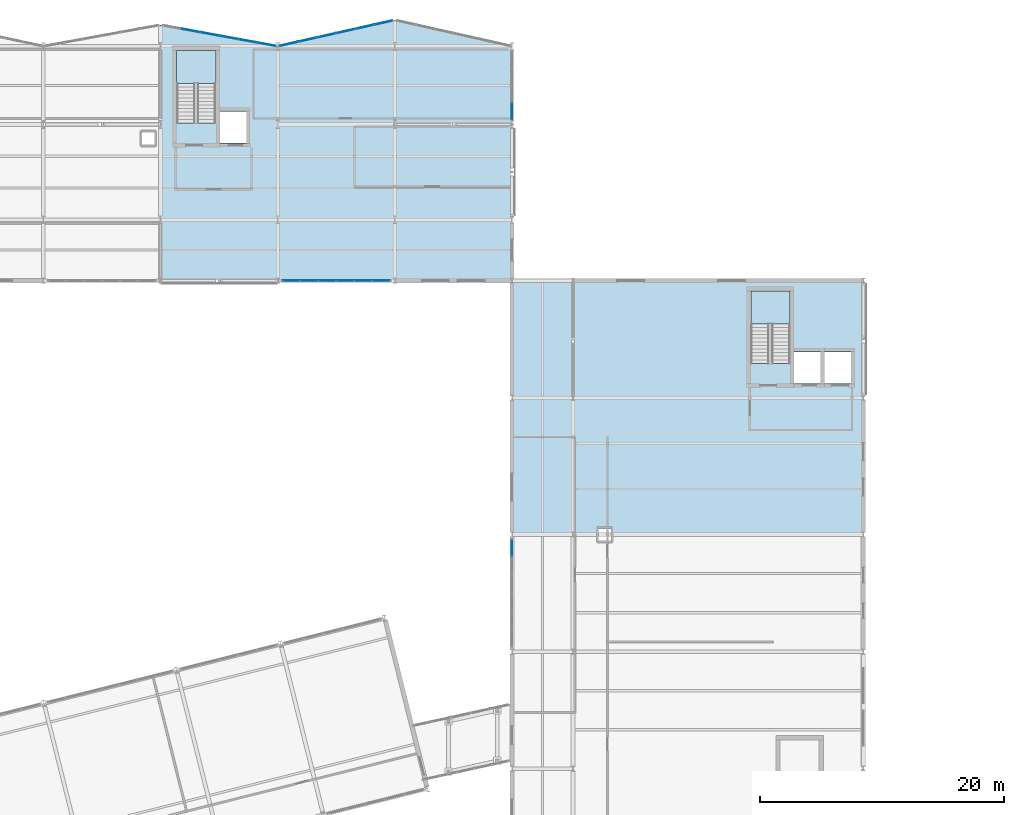
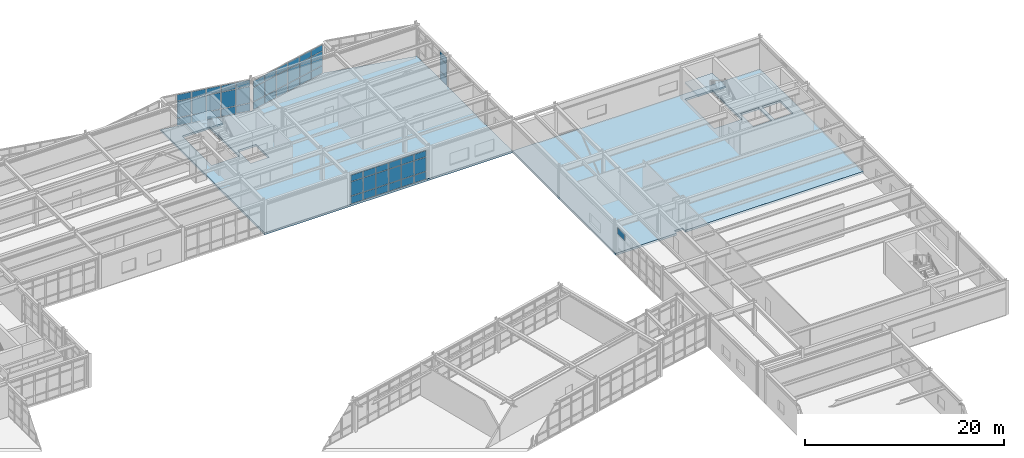
# One storey, part 70 of 99: 55 plates, 4 slabs, 7 elements without a shape of their own.
"""IFC4 building model written with IfcOpenShell, lengths in metres."""

import ifcopenshell
import ifcopenshell.guid

model = None  # the IFC model being written
_history = None  # IfcOwnerHistory: only IFC2X3 demands one
_inside = {}  # id of a spatial element -> (the spatial element, [elements in it])
_under = {}  # id of a project, library or spatial element -> (it, [spatial elements below it])
_declared = {}  # id of a project -> (the project, [libraries it declares])
_typed = {}  # id of a type object -> (the type object, [elements of that type])
_made_of = {}  # id of a material, layer set ... -> (it, [elements and type objects made of it])


def new_model(schema):
    """Start an empty IFC model of exactly this schema.

    Asked for "IFC4X3", IfcOpenShell would pick the latest addendum, in which some entities
    have other attributes; the version numbers below select the first issue.
    IFC2X3 requires an IfcOwnerHistory on every rooted entity: one is made here for all.
    """
    global model, _history
    if schema == "IFC4X3":
        model = ifcopenshell.file(schema_version=(4, 3, 0, 0))
    else:
        model = ifcopenshell.file(schema=schema)
    _inside.clear()
    _under.clear()
    _declared.clear()
    _typed.clear()
    _made_of.clear()
    _history = None
    if model.schema == "IFC2X3":
        org = make("IfcOrganization", Name="unknown")
        user = make(
            "IfcPersonAndOrganization",
            ThePerson=make("IfcPerson", FamilyName="unknown"),
            TheOrganization=org,
        )
        app = make(
            "IfcApplication",
            ApplicationDeveloper=org,
            Version="unknown",
            ApplicationFullName="unknown",
            ApplicationIdentifier="unknown",
        )
        _history = make(
            "IfcOwnerHistory",
            OwningUser=user,
            OwningApplication=app,
            ChangeAction="ADDED",
            CreationDate=0,
        )
    return model


def make(cls, **values):
    """One entity of the class cls with the attributes given. An attribute that is None is left unset."""
    return model.create_entity(
        cls, **{name: value for name, value in values.items() if value is not None}
    )


def rooted(cls, **values):
    """An entity with a GlobalId (a new one), such as an element, a storey or a relation."""
    return make(cls, GlobalId=ifcopenshell.guid.new(), OwnerHistory=_history, **values)


def si_unit(unit_type, name, prefix=None):
    """IfcSIUnit, for example si_unit("LENGTHUNIT", "METRE", prefix="MILLI")."""
    return make("IfcSIUnit", UnitType=unit_type, Prefix=prefix, Name=name)


def assignment(units):
    """IfcUnitAssignment: the units of a project."""
    return None if units is None else make("IfcUnitAssignment", Units=units)


def point(xyz):
    """IfcCartesianPoint."""
    return None if xyz is None else make("IfcCartesianPoint", Coordinates=xyz)


def direction(xyz):
    """IfcDirection."""
    return None if xyz is None else make("IfcDirection", DirectionRatios=xyz)


def frame(location, z_axis=None, x_axis=None):
    """IfcAxis2Placement3D, a coordinate frame: its origin and axes. An axis left out is left unset."""
    return make(
        "IfcAxis2Placement3D",
        Location=point(location),
        Axis=direction(z_axis),
        RefDirection=direction(x_axis),
    )


def frame_2d(location, x_axis=None):
    """IfcAxis2Placement2D, a coordinate frame in the plane: its origin and x axis."""
    return make(
        "IfcAxis2Placement2D", Location=point(location), RefDirection=direction(x_axis)
    )


def origin():
    """The frame at (0, 0, 0) with its axes left unset."""
    return frame((0.0, 0.0, 0.0))


def origin_2d():
    """The frame at (0, 0) in the plane with its x axis left unset."""
    return frame_2d((0.0, 0.0))


def place(relative_to, where):
    """IfcLocalPlacement: puts the frame where relative to a parent placement (None: the world)."""
    return make(
        "IfcLocalPlacement", PlacementRelTo=relative_to, RelativePlacement=where
    )


def context(
    kind, dimensions, precision=None, world=None, true_north=None, identifier=None
):
    """IfcGeometricRepresentationContext, for example the 3D "Model" context."""
    return make(
        "IfcGeometricRepresentationContext",
        ContextIdentifier=identifier,
        ContextType=kind,
        CoordinateSpaceDimension=dimensions,
        Precision=precision,
        WorldCoordinateSystem=world,
        TrueNorth=true_north,
    )


def subcontext(parent, identifier, kind, view, scale=None):
    """IfcGeometricRepresentationSubContext, for example "Body" below "Model"."""
    return make(
        "IfcGeometricRepresentationSubContext",
        ContextIdentifier=identifier,
        ContextType=kind,
        ParentContext=parent,
        TargetScale=scale,
        TargetView=view,
    )


def project(units=None, contexts=None):
    """IfcProject with its units and contexts."""
    return rooted(
        "IfcProject",
        Name="project",
        RepresentationContexts=contexts,
        UnitsInContext=assignment(units),
    )


def spatial(cls, under=None, at=None, **own):
    """A site, building, storey or space (cls), placed at a placement, below another one or the project."""
    s = rooted(cls, ObjectPlacement=at, **own)
    if under is not None:
        _under.setdefault(under.id(), (under, []))[1].append(s)
    return s


def polyline(points):
    """IfcPolyline through the points."""
    return make("IfcPolyline", Points=[point(p) for p in points])


def profile(cls, at=None, kind="AREA", **sizes):
    """A parametric profile (cls). Its sizes go by their IFC names, for example OverallWidth=200.0."""
    return make(cls, ProfileType=kind, Position=at, **sizes)


def rectangle(**sizes):
    """IfcRectangleProfileDef."""
    return profile("IfcRectangleProfileDef", **sizes)


def outline(outer, holes=None, kind="AREA"):
    """IfcArbitraryClosedProfileDef: a profile drawn as a closed curve; with holes, ...WithVoids."""
    if holes is None:
        return make("IfcArbitraryClosedProfileDef", ProfileType=kind, OuterCurve=outer)
    return make(
        "IfcArbitraryProfileDefWithVoids",
        ProfileType=kind,
        OuterCurve=outer,
        InnerCurves=holes,
    )


def extrude(swept, where, along, depth):
    """IfcExtrudedAreaSolid: the profile swept, set in the frame where, extruded along a direction by depth."""
    return make(
        "IfcExtrudedAreaSolid",
        SweptArea=swept,
        Position=where,
        ExtrudedDirection=direction(along),
        Depth=depth,
    )


def shape(context_of_items, identifier, shape_type, items):
    """IfcShapeRepresentation: the items that make up one representation, for example the "Body"."""
    return make(
        "IfcShapeRepresentation",
        ContextOfItems=context_of_items,
        RepresentationIdentifier=identifier,
        RepresentationType=shape_type,
        Items=items,
    )


def material(Name=None, Category=None):
    """IfcMaterial."""
    return make("IfcMaterial", Name=Name, Category=Category)


def layer(
    of_material, thickness, ventilated=None, Name=None, Category=None, Priority=None
):
    """IfcMaterialLayer: one layer of a wall or slab, of a material (None: an air gap)."""
    return make(
        "IfcMaterialLayer",
        Material=of_material,
        LayerThickness=thickness,
        IsVentilated=ventilated,
        Name=Name,
        Category=Category,
        Priority=Priority,
    )


def layer_set(layers, Name=None):
    """IfcMaterialLayerSet."""
    return make("IfcMaterialLayerSet", MaterialLayers=layers, LayerSetName=Name)


def made_of(thing, what):
    """Note that an element or type object is made of a material, layer set ...; save() writes the relation."""
    if what is not None:
        _made_of.setdefault(what.id(), (what, []))[1].append(thing)
    return thing


def type_object(cls, material=None, **own):
    """A type object (cls), such as IfcWallType, which elements share."""
    return made_of(rooted(cls, **own), material)


def element(
    cls,
    number,
    at=None,
    inside=None,
    cuts=None,
    type_object=None,
    material=None,
    context=None,
    identifier="Body",
    shape_type=None,
    held_by="IfcProductDefinitionShape",
    body=None,
    shapes=None,
    **own,
):
    """One element of the class cls, such as IfcWall. Its Tag is "e" and its number.

    at: its placement. inside: the storey or other place that contains it. cuts: it is an
    opening in that element (IfcRelVoidsElement). A single representation is given by context,
    identifier, shape_type and body (its items); several are given by shapes. held_by: the class
    of the entity that holds the representations. save() writes the other relations.
    """
    e = rooted(cls, Tag="e%d" % number, ObjectPlacement=at, **own)
    if body is not None:
        shapes = [shape(context, identifier, shape_type, body)]
    if shapes is not None:
        e.Representation = make(held_by, Representations=shapes)
    if inside is not None:
        _inside.setdefault(inside.id(), (inside, []))[1].append(e)
    if cuts is not None:
        rooted(
            "IfcRelVoidsElement", RelatingBuildingElement=cuts, RelatedOpeningElement=e
        )
    if type_object is not None:
        _typed.setdefault(type_object.id(), (type_object, []))[1].append(e)
    return made_of(e, material)


def aggregate(whole, parts):
    """IfcRelAggregates: a whole, such as a stair, and the parts it consists of."""
    return rooted("IfcRelAggregates", RelatingObject=whole, RelatedObjects=parts)


def save(model, path):
    """Write the relations noted so far, then the file.

    IfcRelAggregates (storeys below a building ...), IfcRelContainedInSpatialStructure (elements
    in a storey), IfcRelDefinesByType, IfcRelAssociatesMaterial and IfcRelDeclares: one each for
    every whole, place, type object, material and project.
    """
    for whole, parts in _under.values():
        aggregate(whole, parts)
    for where, things in _inside.values():
        rooted(
            "IfcRelContainedInSpatialStructure",
            RelatedElements=things,
            RelatingStructure=where,
        )
    for kind, things in _typed.values():
        rooted("IfcRelDefinesByType", RelatedObjects=things, RelatingType=kind)
    for what, things in _made_of.values():
        rooted("IfcRelAssociatesMaterial", RelatedObjects=things, RelatingMaterial=what)
    for by, libraries in _declared.values():
        rooted("IfcRelDeclares", RelatingContext=by, RelatedDefinitions=libraries)
    model.write(path)


model = new_model("IFC4")

# Units and contexts
model_context = context("Model", 3, precision=1e-05, world=origin(), true_north=direction((0.0, 1.0)))
body_context = subcontext(model_context, "Body", "Model", "MODEL_VIEW")
ifc_project = project(units=[si_unit("LENGTHUNIT", "METRE"), si_unit("AREAUNIT", "SQUARE_METRE"), si_unit("VOLUMEUNIT", "CUBIC_METRE"), si_unit("PLANEANGLEUNIT", "RADIAN"), si_unit("MASSUNIT", "GRAM", prefix="KILO")], contexts=[model_context])

# Site, building, storey
site_placement = place(None, origin())
site = spatial("IfcSite", under=ifc_project, at=site_placement, CompositionType="ELEMENT")
building_placement = place(site_placement, origin())
building = spatial("IfcBuilding", under=site, at=building_placement, Name="Nordkorset Police Headquarters", CompositionType="ELEMENT")
storey_placement = place(building_placement, frame((0.0, 0.0, 5.25)))
storey = spatial("IfcBuildingStorey", under=building, at=storey_placement, Name="L01", CompositionType="ELEMENT", Elevation=5.25)

# Curtain wall, plates
ifc_material_1 = material(Name="Aluminium alloy AW-6060", Category="aluminium")
ifc_layer_1 = layer(ifc_material_1, 0.179931640625, Name="Aluminium alloy AW-6060")
ifc_layer_set_1 = layer_set([ifc_layer_1], Name="Aluminium alloy AW-6060")
curtain_wall_type_1 = type_object("IfcCurtainWallType", Name="CW_Unit_948x392", PredefinedType="USERDEFINED", material=ifc_layer_set_1)
curtain_wall_1_placement = place(storey_placement, origin())
curtain_wall_1 = element("IfcCurtainWall", 1, at=curtain_wall_1_placement, inside=storey, type_object=curtain_wall_type_1, Name="Unitised Curtain Wall L01 V2N-3", ObjectType="UNITISED CURTAIN WALL", PredefinedType="USERDEFINED")
ifc_material_2 = material(Name="Low-iron triple glazing", Category="glass")
ifc_layer_2 = layer(ifc_material_2, 0.035888671875, Name="Low-iron triple glazing")
ifc_layer_set_2 = layer_set([ifc_layer_2], Name="Low-iron triple glazing")
plate_type = type_object("IfcPlateType", Name="CW_Panel_TripleGlazing_36", PredefinedType="CURTAIN_PANEL", material=ifc_layer_set_2)
plate_1_placement = place(storey_placement, frame((60.06884765625, 118.099853515625, 0.06494140625), z_axis=(0.0, 0.0, 1.0), x_axis=(0.983787934979, -0.179335715876, 0.0)))
plate_1 = element("IfcPlate", 2, at=plate_1_placement, type_object=plate_type, Name="CW-65 panel 2.1", PredefinedType="CURTAIN_PANEL", context=body_context, shape_type="SweptSolid", body=[
    extrude(rectangle(XDim=1.5146484375, YDim=0.035888671875, at=origin_2d()), origin(), (0.0, 0.0, 1.0), 0.902587890625),
])
plate_2_placement = place(storey_placement, frame((60.06884765625, 118.099853515625, 1.032470703125), z_axis=(0.0, 0.0, 1.0), x_axis=(0.983787934979, -0.179335715876, 0.0)))
plate_2 = element("IfcPlate", 3, at=plate_2_placement, type_object=plate_type, Name="CW-65 panel 2.2", PredefinedType="CURTAIN_PANEL", context=body_context, shape_type="SweptSolid", body=[
    extrude(rectangle(XDim=1.5146484375, YDim=0.035888671875, at=origin_2d()), origin(), (0.0, 0.0, 1.0), 2.0048828125),
])
plate_3_placement = place(storey_placement, frame((60.06884765625, 118.099853515625, 3.1025390625), z_axis=(0.0, 0.0, 1.0), x_axis=(0.983787934979, -0.179335715876, 0.0)))
plate_3 = element("IfcPlate", 4, at=plate_3_placement, type_object=plate_type, Name="CW-65 panel 2.3", PredefinedType="CURTAIN_PANEL", context=body_context, shape_type="SweptSolid", body=[
    extrude(rectangle(XDim=1.5146484375, YDim=0.035888671875, at=origin_2d()), origin(), (0.0, 0.0, 1.0), 0.75244140625),
])
plate_4_placement = place(storey_placement, frame((61.623046875, 117.816650390625, 0.06494140625), z_axis=(0.0, 0.0, 1.0), x_axis=(0.983787934979, -0.179335715876, 0.0)))
plate_4 = element("IfcPlate", 5, at=plate_4_placement, type_object=plate_type, Name="CW-65 panel 3.1", PredefinedType="CURTAIN_PANEL", context=body_context, shape_type="SweptSolid", body=[
    extrude(rectangle(XDim=1.5146484375, YDim=0.035888671875, at=origin_2d()), origin(), (0.0, 0.0, 1.0), 0.902587890625),
])
plate_5_placement = place(storey_placement, frame((61.623046875, 117.816650390625, 1.032470703125), z_axis=(0.0, 0.0, 1.0), x_axis=(0.983787934979, -0.179335715876, 0.0)))
plate_5 = element("IfcPlate", 6, at=plate_5_placement, type_object=plate_type, Name="CW-65 panel 3.2", PredefinedType="CURTAIN_PANEL", context=body_context, shape_type="SweptSolid", body=[
    extrude(rectangle(XDim=1.5146484375, YDim=0.035888671875, at=origin_2d()), origin(), (0.0, 0.0, 1.0), 2.0048828125),
])
plate_6_placement = place(storey_placement, frame((61.623046875, 117.816650390625, 3.1025390625), z_axis=(0.0, 0.0, 1.0), x_axis=(0.983787934979, -0.179335715876, 0.0)))
plate_6 = element("IfcPlate", 7, at=plate_6_placement, type_object=plate_type, Name="CW-65 panel 3.3", PredefinedType="CURTAIN_PANEL", context=body_context, shape_type="SweptSolid", body=[
    extrude(rectangle(XDim=1.5146484375, YDim=0.035888671875, at=origin_2d()), origin(), (0.0, 0.0, 1.0), 0.75244140625),
])
plate_7_placement = place(storey_placement, frame((63.177001953125, 117.533447265625, 0.06494140625), z_axis=(0.0, 0.0, 1.0), x_axis=(0.983787934979, -0.179335715876, 0.0)))
plate_7 = element("IfcPlate", 8, at=plate_7_placement, type_object=plate_type, Name="CW-65 panel 4.1", PredefinedType="CURTAIN_PANEL", context=body_context, shape_type="SweptSolid", body=[
    extrude(rectangle(XDim=1.5146484375, YDim=0.035888671875, at=origin_2d()), origin(), (0.0, 0.0, 1.0), 0.902587890625),
])
plate_8_placement = place(storey_placement, frame((63.177001953125, 117.533447265625, 1.032470703125), z_axis=(0.0, 0.0, 1.0), x_axis=(0.983787934979, -0.179335715876, 0.0)))
plate_8 = element("IfcPlate", 9, at=plate_8_placement, type_object=plate_type, Name="CW-65 panel 4.2", PredefinedType="CURTAIN_PANEL", context=body_context, shape_type="SweptSolid", body=[
    extrude(rectangle(XDim=1.5146484375, YDim=0.035888671875, at=origin_2d()), origin(), (0.0, 0.0, 1.0), 2.0048828125),
])
plate_9_placement = place(storey_placement, frame((63.177001953125, 117.533447265625, 3.1025390625), z_axis=(0.0, 0.0, 1.0), x_axis=(0.983787934979, -0.179335715876, 0.0)))
plate_9 = element("IfcPlate", 10, at=plate_9_placement, type_object=plate_type, Name="CW-65 panel 4.3", PredefinedType="CURTAIN_PANEL", context=body_context, shape_type="SweptSolid", body=[
    extrude(rectangle(XDim=1.5146484375, YDim=0.035888671875, at=origin_2d()), origin(), (0.0, 0.0, 1.0), 0.75244140625),
])
plate_10_placement = place(storey_placement, frame((64.731201171875, 117.25, 0.06494140625), z_axis=(0.0, 0.0, 1.0), x_axis=(0.983787934979, -0.179335715876, 0.0)))
plate_10 = element("IfcPlate", 11, at=plate_10_placement, type_object=plate_type, Name="CW-65 panel 5.1", PredefinedType="CURTAIN_PANEL", context=body_context, shape_type="SweptSolid", body=[
    extrude(rectangle(XDim=1.5146484375, YDim=0.035888671875, at=origin_2d()), origin(), (0.0, 0.0, 1.0), 0.902587890625),
])
plate_11_placement = place(storey_placement, frame((64.731201171875, 117.25, 1.032470703125), z_axis=(0.0, 0.0, 1.0), x_axis=(0.983787934979, -0.179335715876, 0.0)))
plate_11 = element("IfcPlate", 12, at=plate_11_placement, type_object=plate_type, Name="CW-65 panel 5.2", PredefinedType="CURTAIN_PANEL", context=body_context, shape_type="SweptSolid", body=[
    extrude(rectangle(XDim=1.5146484375, YDim=0.035888671875, at=origin_2d()), origin(), (0.0, 0.0, 1.0), 2.0048828125),
])
plate_12_placement = place(storey_placement, frame((64.731201171875, 117.25, 3.1025390625), z_axis=(0.0, 0.0, 1.0), x_axis=(0.983787934979, -0.179335715876, 0.0)))
plate_12 = element("IfcPlate", 13, at=plate_12_placement, type_object=plate_type, Name="CW-65 panel 5.3", PredefinedType="CURTAIN_PANEL", context=body_context, shape_type="SweptSolid", body=[
    extrude(rectangle(XDim=1.5146484375, YDim=0.035888671875, at=origin_2d()), origin(), (0.0, 0.0, 1.0), 0.75244140625),
])
plate_13_placement = place(storey_placement, frame((66.269287109375, 116.9697265625, 0.06494140625), z_axis=(0.0, 0.0, 1.0), x_axis=(0.983787934979, -0.179335715876, 0.0)))
plate_13 = element("IfcPlate", 14, at=plate_13_placement, type_object=plate_type, Name="CW-65 panel 6.1", PredefinedType="CURTAIN_PANEL", context=body_context, shape_type="SweptSolid", body=[
    extrude(rectangle(XDim=1.482177734375, YDim=0.035888671875, at=origin_2d()), origin(), (0.0, 0.0, 1.0), 0.902587890625),
])
plate_14_placement = place(storey_placement, frame((66.269287109375, 116.9697265625, 1.032470703125), z_axis=(0.0, 0.0, 1.0), x_axis=(0.983787934979, -0.179335715876, 0.0)))
plate_14 = element("IfcPlate", 15, at=plate_14_placement, type_object=plate_type, Name="CW-65 panel 6.2", PredefinedType="CURTAIN_PANEL", context=body_context, shape_type="SweptSolid", body=[
    extrude(rectangle(XDim=1.482177734375, YDim=0.035888671875, at=origin_2d()), origin(), (0.0, 0.0, 1.0), 2.0048828125),
])
plate_15_placement = place(storey_placement, frame((66.269287109375, 116.9697265625, 3.1025390625), z_axis=(0.0, 0.0, 1.0), x_axis=(0.983787934979, -0.179335715876, 0.0)))
plate_15 = element("IfcPlate", 16, at=plate_15_placement, type_object=plate_type, Name="CW-65 panel 6.3", PredefinedType="CURTAIN_PANEL", context=body_context, shape_type="SweptSolid", body=[
    extrude(rectangle(XDim=1.482177734375, YDim=0.035888671875, at=origin_2d()), origin(), (0.0, 0.0, 1.0), 0.75244140625),
])
aggregate(curtain_wall_1, [plate_1, plate_2, plate_3, plate_4, plate_5, plate_6, plate_7, plate_8, plate_9, plate_10, plate_11, plate_12, plate_13, plate_14, plate_15])

ifc_material_3 = material(Name="Aluminium alloy AW-6060", Category="aluminium")
ifc_layer_3 = layer(ifc_material_3, 0.179931640625, Name="Aluminium alloy AW-6060")
ifc_layer_set_3 = layer_set([ifc_layer_3], Name="Aluminium alloy AW-6060")
curtain_wall_type_2 = type_object("IfcCurtainWallType", Name="CW_Unit_956x363", PredefinedType="USERDEFINED", material=ifc_layer_set_3)
curtain_wall_2_placement = place(storey_placement, origin())
curtain_wall_2 = element("IfcCurtainWall", 17, at=curtain_wall_2_placement, inside=storey, type_object=curtain_wall_type_2, Name="Unitised Curtain Wall L01 V2N-4", ObjectType="UNITISED CURTAIN WALL", PredefinedType="USERDEFINED")
plate_16_placement = place(storey_placement, frame((68.129638671875, 117.00830078125, 0.06494140625), z_axis=(0.0, 0.0, 1.0), x_axis=(0.975827090814, 0.218544020358, 0.0)))
plate_16 = element("IfcPlate", 18, at=plate_16_placement, type_object=plate_type, Name="CW-67 panel 1.1", PredefinedType="CURTAIN_PANEL", context=body_context, shape_type="SweptSolid", body=[
    extrude(rectangle(XDim=1.495361328125, YDim=0.035888671875, at=origin_2d()), origin(), (0.0, 0.0, 1.0), 0.902587890625),
])
plate_17_placement = place(storey_placement, frame((68.129638671875, 117.00830078125, 1.0322265625), z_axis=(0.0, 0.0, 1.0), x_axis=(0.975827090814, 0.218544020358, 0.0)))
plate_17 = element("IfcPlate", 19, at=plate_17_placement, type_object=plate_type, Name="CW-67 panel 1.2", PredefinedType="CURTAIN_PANEL", context=body_context, shape_type="SweptSolid", body=[
    extrude(rectangle(XDim=1.495361328125, YDim=0.035888671875, at=origin_2d()), origin(), (0.0, 0.0, 1.0), 1.715087890625),
])
plate_18_placement = place(storey_placement, frame((68.129638671875, 117.00830078125, 2.8125), z_axis=(0.0, 0.0, 1.0), x_axis=(0.975827090814, 0.218544020358, 0.0)))
plate_18 = element("IfcPlate", 20, at=plate_18_placement, type_object=plate_type, Name="CW-67 panel 1.3", PredefinedType="CURTAIN_PANEL", context=body_context, shape_type="SweptSolid", body=[
    extrude(rectangle(XDim=1.495361328125, YDim=0.035888671875, at=origin_2d()), origin(), (0.0, 0.0, 1.0), 0.75244140625),
])
plate_19_placement = place(storey_placement, frame((69.668212890625, 117.352783203125, 0.06494140625), z_axis=(0.0, 0.0, 1.0), x_axis=(0.975827090814, 0.218544020358, 0.0)))
plate_19 = element("IfcPlate", 21, at=plate_19_placement, type_object=plate_type, Name="CW-67 panel 2.1", PredefinedType="CURTAIN_PANEL", context=body_context, shape_type="SweptSolid", body=[
    extrude(rectangle(XDim=1.528076171875, YDim=0.035888671875, at=origin_2d()), origin(), (0.0, 0.0, 1.0), 0.902587890625),
])
plate_20_placement = place(storey_placement, frame((69.668212890625, 117.352783203125, 1.0322265625), z_axis=(0.0, 0.0, 1.0), x_axis=(0.975827090814, 0.218544020358, 0.0)))
plate_20 = element("IfcPlate", 22, at=plate_20_placement, type_object=plate_type, Name="CW-67 panel 2.2", PredefinedType="CURTAIN_PANEL", context=body_context, shape_type="SweptSolid", body=[
    extrude(rectangle(XDim=1.528076171875, YDim=0.035888671875, at=origin_2d()), origin(), (0.0, 0.0, 1.0), 1.715087890625),
])
plate_21_placement = place(storey_placement, frame((69.668212890625, 117.352783203125, 2.8125), z_axis=(0.0, 0.0, 1.0), x_axis=(0.975827090814, 0.218544020358, 0.0)))
plate_21 = element("IfcPlate", 23, at=plate_21_placement, type_object=plate_type, Name="CW-67 panel 2.3", PredefinedType="CURTAIN_PANEL", context=body_context, shape_type="SweptSolid", body=[
    extrude(rectangle(XDim=1.528076171875, YDim=0.035888671875, at=origin_2d()), origin(), (0.0, 0.0, 1.0), 0.75244140625),
])
plate_22_placement = place(storey_placement, frame((71.22265625, 117.700927734375, 0.06494140625), z_axis=(0.0, 0.0, 1.0), x_axis=(0.975827090814, 0.218544020358, 0.0)))
plate_22 = element("IfcPlate", 24, at=plate_22_placement, type_object=plate_type, Name="CW-67 panel 3.1", PredefinedType="CURTAIN_PANEL", context=body_context, shape_type="SweptSolid", body=[
    extrude(rectangle(XDim=1.528076171875, YDim=0.035888671875, at=origin_2d()), origin(), (0.0, 0.0, 1.0), 0.902587890625),
])
plate_23_placement = place(storey_placement, frame((71.22265625, 117.700927734375, 1.0322265625), z_axis=(0.0, 0.0, 1.0), x_axis=(0.975827090814, 0.218544020358, 0.0)))
plate_23 = element("IfcPlate", 25, at=plate_23_placement, type_object=plate_type, Name="CW-67 panel 3.2", PredefinedType="CURTAIN_PANEL", context=body_context, shape_type="SweptSolid", body=[
    extrude(rectangle(XDim=1.528076171875, YDim=0.035888671875, at=origin_2d()), origin(), (0.0, 0.0, 1.0), 1.715087890625),
])
plate_24_placement = place(storey_placement, frame((71.22265625, 117.700927734375, 2.8125), z_axis=(0.0, 0.0, 1.0), x_axis=(0.975827090814, 0.218544020358, 0.0)))
plate_24 = element("IfcPlate", 26, at=plate_24_placement, type_object=plate_type, Name="CW-67 panel 3.3", PredefinedType="CURTAIN_PANEL", context=body_context, shape_type="SweptSolid", body=[
    extrude(rectangle(XDim=1.528076171875, YDim=0.035888671875, at=origin_2d()), origin(), (0.0, 0.0, 1.0), 0.75244140625),
])
plate_25_placement = place(storey_placement, frame((72.77734375, 118.049072265625, 0.06494140625), z_axis=(0.0, 0.0, 1.0), x_axis=(0.975827090814, 0.218544020358, 0.0)))
plate_25 = element("IfcPlate", 27, at=plate_25_placement, type_object=plate_type, Name="CW-67 panel 4.1", PredefinedType="CURTAIN_PANEL", context=body_context, shape_type="SweptSolid", body=[
    extrude(rectangle(XDim=1.528076171875, YDim=0.035888671875, at=origin_2d()), origin(), (0.0, 0.0, 1.0), 0.902587890625),
])
plate_26_placement = place(storey_placement, frame((72.77734375, 118.049072265625, 1.0322265625), z_axis=(0.0, 0.0, 1.0), x_axis=(0.975827090814, 0.218544020358, 0.0)))
plate_26 = element("IfcPlate", 28, at=plate_26_placement, type_object=plate_type, Name="CW-67 panel 4.2", PredefinedType="CURTAIN_PANEL", context=body_context, shape_type="SweptSolid", body=[
    extrude(rectangle(XDim=1.528076171875, YDim=0.035888671875, at=origin_2d()), origin(), (0.0, 0.0, 1.0), 1.715087890625),
])
plate_27_placement = place(storey_placement, frame((72.77734375, 118.049072265625, 2.8125), z_axis=(0.0, 0.0, 1.0), x_axis=(0.975827090814, 0.218544020358, 0.0)))
plate_27 = element("IfcPlate", 29, at=plate_27_placement, type_object=plate_type, Name="CW-67 panel 4.3", PredefinedType="CURTAIN_PANEL", context=body_context, shape_type="SweptSolid", body=[
    extrude(rectangle(XDim=1.528076171875, YDim=0.035888671875, at=origin_2d()), origin(), (0.0, 0.0, 1.0), 0.75244140625),
])
plate_28_placement = place(storey_placement, frame((74.331787109375, 118.397216796875, 0.06494140625), z_axis=(0.0, 0.0, 1.0), x_axis=(0.975827090814, 0.218544020358, 0.0)))
plate_28 = element("IfcPlate", 30, at=plate_28_placement, type_object=plate_type, Name="CW-67 panel 5.1", PredefinedType="CURTAIN_PANEL", context=body_context, shape_type="SweptSolid", body=[
    extrude(rectangle(XDim=1.528076171875, YDim=0.035888671875, at=origin_2d()), origin(), (0.0, 0.0, 1.0), 0.902587890625),
])
plate_29_placement = place(storey_placement, frame((74.331787109375, 118.397216796875, 1.0322265625), z_axis=(0.0, 0.0, 1.0), x_axis=(0.975827090814, 0.218544020358, 0.0)))
plate_29 = element("IfcPlate", 31, at=plate_29_placement, type_object=plate_type, Name="CW-67 panel 5.2", PredefinedType="CURTAIN_PANEL", context=body_context, shape_type="SweptSolid", body=[
    extrude(rectangle(XDim=1.528076171875, YDim=0.035888671875, at=origin_2d()), origin(), (0.0, 0.0, 1.0), 1.715087890625),
])
plate_30_placement = place(storey_placement, frame((74.331787109375, 118.397216796875, 2.8125), z_axis=(0.0, 0.0, 1.0), x_axis=(0.975827090814, 0.218544020358, 0.0)))
plate_30 = element("IfcPlate", 32, at=plate_30_placement, type_object=plate_type, Name="CW-67 panel 5.3", PredefinedType="CURTAIN_PANEL", context=body_context, shape_type="SweptSolid", body=[
    extrude(rectangle(XDim=1.528076171875, YDim=0.035888671875, at=origin_2d()), origin(), (0.0, 0.0, 1.0), 0.75244140625),
])
plate_31_placement = place(storey_placement, frame((75.870361328125, 118.74169921875, 0.06494140625), z_axis=(0.0, 0.0, 1.0), x_axis=(0.975827090814, 0.218544020358, 0.0)))
plate_31 = element("IfcPlate", 33, at=plate_31_placement, type_object=plate_type, Name="CW-67 panel 6.1", PredefinedType="CURTAIN_PANEL", context=body_context, shape_type="SweptSolid", body=[
    extrude(rectangle(XDim=1.495361328125, YDim=0.035888671875, at=origin_2d()), origin(), (0.0, 0.0, 1.0), 0.902587890625),
])
plate_32_placement = place(storey_placement, frame((75.870361328125, 118.74169921875, 1.0322265625), z_axis=(0.0, 0.0, 1.0), x_axis=(0.975827090814, 0.218544020358, 0.0)))
plate_32 = element("IfcPlate", 34, at=plate_32_placement, type_object=plate_type, Name="CW-67 panel 6.2", PredefinedType="CURTAIN_PANEL", context=body_context, shape_type="SweptSolid", body=[
    extrude(rectangle(XDim=1.495361328125, YDim=0.035888671875, at=origin_2d()), origin(), (0.0, 0.0, 1.0), 1.715087890625),
])
plate_33_placement = place(storey_placement, frame((75.870361328125, 118.74169921875, 2.8125), z_axis=(0.0, 0.0, 1.0), x_axis=(0.975827090814, 0.218544020358, 0.0)))
plate_33 = element("IfcPlate", 35, at=plate_33_placement, type_object=plate_type, Name="CW-67 panel 6.3", PredefinedType="CURTAIN_PANEL", context=body_context, shape_type="SweptSolid", body=[
    extrude(rectangle(XDim=1.495361328125, YDim=0.035888671875, at=origin_2d()), origin(), (0.0, 0.0, 1.0), 0.75244140625),
])
aggregate(curtain_wall_2, [plate_16, plate_17, plate_18, plate_19, plate_20, plate_21, plate_22, plate_23, plate_24, plate_25, plate_26, plate_27, plate_28, plate_29, plate_30, plate_31, plate_32, plate_33])

ifc_material_4 = material(Name="Aluminium alloy AW-6060", Category="aluminium")
ifc_layer_4 = layer(ifc_material_4, 0.179931640625, Name="Aluminium alloy AW-6060")
ifc_layer_set_4 = layer_set([ifc_layer_4], Name="Aluminium alloy AW-6060")
curtain_wall_type_3 = type_object("IfcCurtainWallType", Name="CW_Unit_888x363", PredefinedType="USERDEFINED", material=ifc_layer_set_4)
curtain_wall_3_placement = place(storey_placement, origin())
curtain_wall_3 = element("IfcCurtainWall", 36, at=curtain_wall_3_placement, inside=storey, type_object=curtain_wall_type_3, Name="Unitised Curtain Wall L01 V2S-4", ObjectType="UNITISED CURTAIN WALL", PredefinedType="USERDEFINED")
plate_34_placement = place(storey_placement, frame((68.316162109375, 97.60009765625, 0.06494140625), z_axis=(0.0, 0.0, 1.0), x_axis=(1.0, 0.0, 0.0)))
plate_34 = element("IfcPlate", 37, at=plate_34_placement, type_object=plate_type, Name="CW-07 panel 1.1", PredefinedType="CURTAIN_PANEL", context=body_context, shape_type="SweptSolid", body=[
    extrude(rectangle(XDim=1.382568359375, YDim=0.035888671875, at=origin_2d()), origin(), (0.0, 0.0, 1.0), 0.902587890625),
])
plate_35_placement = place(storey_placement, frame((68.316162109375, 97.60009765625, 1.0322265625), z_axis=(0.0, 0.0, 1.0), x_axis=(1.0, 0.0, 0.0)))
plate_35 = element("IfcPlate", 38, at=plate_35_placement, type_object=plate_type, Name="CW-07 panel 1.2", PredefinedType="CURTAIN_PANEL", context=body_context, shape_type="SweptSolid", body=[
    extrude(rectangle(XDim=1.382568359375, YDim=0.035888671875, at=origin_2d()), origin(), (0.0, 0.0, 1.0), 1.715087890625),
])
plate_36_placement = place(storey_placement, frame((68.316162109375, 97.60009765625, 2.8125), z_axis=(0.0, 0.0, 1.0), x_axis=(1.0, 0.0, 0.0)))
plate_36 = element("IfcPlate", 39, at=plate_36_placement, type_object=plate_type, Name="CW-07 panel 1.3", PredefinedType="CURTAIN_PANEL", context=body_context, shape_type="SweptSolid", body=[
    extrude(rectangle(XDim=1.382568359375, YDim=0.035888671875, at=origin_2d()), origin(), (0.0, 0.0, 1.0), 0.75244140625),
])
plate_37_placement = place(storey_placement, frame((69.780029296875, 97.60009765625, 0.06494140625), z_axis=(0.0, 0.0, 1.0), x_axis=(1.0, 0.0, 0.0)))
plate_37 = element("IfcPlate", 40, at=plate_37_placement, type_object=plate_type, Name="CW-07 panel 2.1", PredefinedType="CURTAIN_PANEL", context=body_context, shape_type="SweptSolid", body=[
    extrude(rectangle(XDim=1.4150390625, YDim=0.035888671875, at=origin_2d()), origin(), (0.0, 0.0, 1.0), 0.902587890625),
])
plate_38_placement = place(storey_placement, frame((69.780029296875, 97.60009765625, 1.0322265625), z_axis=(0.0, 0.0, 1.0), x_axis=(1.0, 0.0, 0.0)))
plate_38 = element("IfcPlate", 41, at=plate_38_placement, type_object=plate_type, Name="CW-07 panel 2.2", PredefinedType="CURTAIN_PANEL", context=body_context, shape_type="SweptSolid", body=[
    extrude(rectangle(XDim=1.4150390625, YDim=0.035888671875, at=origin_2d()), origin(), (0.0, 0.0, 1.0), 1.715087890625),
])
plate_39_placement = place(storey_placement, frame((69.780029296875, 97.60009765625, 2.8125), z_axis=(0.0, 0.0, 1.0), x_axis=(1.0, 0.0, 0.0)))
plate_39 = element("IfcPlate", 42, at=plate_39_placement, type_object=plate_type, Name="CW-07 panel 2.3", PredefinedType="CURTAIN_PANEL", context=body_context, shape_type="SweptSolid", body=[
    extrude(rectangle(XDim=1.4150390625, YDim=0.035888671875, at=origin_2d()), origin(), (0.0, 0.0, 1.0), 0.75244140625),
])
plate_40_placement = place(storey_placement, frame((71.260009765625, 97.60009765625, 0.06494140625), z_axis=(0.0, 0.0, 1.0), x_axis=(1.0, 0.0, 0.0)))
plate_40 = element("IfcPlate", 43, at=plate_40_placement, type_object=plate_type, Name="CW-07 panel 3.1", PredefinedType="CURTAIN_PANEL", context=body_context, shape_type="SweptSolid", body=[
    extrude(rectangle(XDim=1.4150390625, YDim=0.035888671875, at=origin_2d()), origin(), (0.0, 0.0, 1.0), 0.902587890625),
])
plate_41_placement = place(storey_placement, frame((71.260009765625, 97.60009765625, 1.0322265625), z_axis=(0.0, 0.0, 1.0), x_axis=(1.0, 0.0, 0.0)))
plate_41 = element("IfcPlate", 44, at=plate_41_placement, type_object=plate_type, Name="CW-07 panel 3.2", PredefinedType="CURTAIN_PANEL", context=body_context, shape_type="SweptSolid", body=[
    extrude(rectangle(XDim=1.4150390625, YDim=0.035888671875, at=origin_2d()), origin(), (0.0, 0.0, 1.0), 1.715087890625),
])
plate_42_placement = place(storey_placement, frame((71.260009765625, 97.60009765625, 2.8125), z_axis=(0.0, 0.0, 1.0), x_axis=(1.0, 0.0, 0.0)))
plate_42 = element("IfcPlate", 45, at=plate_42_placement, type_object=plate_type, Name="CW-07 panel 3.3", PredefinedType="CURTAIN_PANEL", context=body_context, shape_type="SweptSolid", body=[
    extrude(rectangle(XDim=1.4150390625, YDim=0.035888671875, at=origin_2d()), origin(), (0.0, 0.0, 1.0), 0.75244140625),
])
plate_43_placement = place(storey_placement, frame((72.739990234375, 97.60009765625, 0.06494140625), z_axis=(0.0, 0.0, 1.0), x_axis=(1.0, 0.0, 0.0)))
plate_43 = element("IfcPlate", 46, at=plate_43_placement, type_object=plate_type, Name="CW-07 panel 4.1", PredefinedType="CURTAIN_PANEL", context=body_context, shape_type="SweptSolid", body=[
    extrude(rectangle(XDim=1.4150390625, YDim=0.035888671875, at=origin_2d()), origin(), (0.0, 0.0, 1.0), 0.902587890625),
])
plate_44_placement = place(storey_placement, frame((72.739990234375, 97.60009765625, 1.0322265625), z_axis=(0.0, 0.0, 1.0), x_axis=(1.0, 0.0, 0.0)))
plate_44 = element("IfcPlate", 47, at=plate_44_placement, type_object=plate_type, Name="CW-07 panel 4.2", PredefinedType="CURTAIN_PANEL", context=body_context, shape_type="SweptSolid", body=[
    extrude(rectangle(XDim=1.4150390625, YDim=0.035888671875, at=origin_2d()), origin(), (0.0, 0.0, 1.0), 1.715087890625),
])
plate_45_placement = place(storey_placement, frame((72.739990234375, 97.60009765625, 2.8125), z_axis=(0.0, 0.0, 1.0), x_axis=(1.0, 0.0, 0.0)))
plate_45 = element("IfcPlate", 48, at=plate_45_placement, type_object=plate_type, Name="CW-07 panel 4.3", PredefinedType="CURTAIN_PANEL", context=body_context, shape_type="SweptSolid", body=[
    extrude(rectangle(XDim=1.4150390625, YDim=0.035888671875, at=origin_2d()), origin(), (0.0, 0.0, 1.0), 0.75244140625),
])
plate_46_placement = place(storey_placement, frame((74.219970703125, 97.60009765625, 0.06494140625), z_axis=(0.0, 0.0, 1.0), x_axis=(1.0, 0.0, 0.0)))
plate_46 = element("IfcPlate", 49, at=plate_46_placement, type_object=plate_type, Name="CW-07 panel 5.1", PredefinedType="CURTAIN_PANEL", context=body_context, shape_type="SweptSolid", body=[
    extrude(rectangle(XDim=1.4150390625, YDim=0.035888671875, at=origin_2d()), origin(), (0.0, 0.0, 1.0), 0.902587890625),
])
plate_47_placement = place(storey_placement, frame((74.219970703125, 97.60009765625, 1.0322265625), z_axis=(0.0, 0.0, 1.0), x_axis=(1.0, 0.0, 0.0)))
plate_47 = element("IfcPlate", 50, at=plate_47_placement, type_object=plate_type, Name="CW-07 panel 5.2", PredefinedType="CURTAIN_PANEL", context=body_context, shape_type="SweptSolid", body=[
    extrude(rectangle(XDim=1.4150390625, YDim=0.035888671875, at=origin_2d()), origin(), (0.0, 0.0, 1.0), 1.715087890625),
])
plate_48_placement = place(storey_placement, frame((74.219970703125, 97.60009765625, 2.8125), z_axis=(0.0, 0.0, 1.0), x_axis=(1.0, 0.0, 0.0)))
plate_48 = element("IfcPlate", 51, at=plate_48_placement, type_object=plate_type, Name="CW-07 panel 5.3", PredefinedType="CURTAIN_PANEL", context=body_context, shape_type="SweptSolid", body=[
    extrude(rectangle(XDim=1.4150390625, YDim=0.035888671875, at=origin_2d()), origin(), (0.0, 0.0, 1.0), 0.75244140625),
])
plate_49_placement = place(storey_placement, frame((75.683837890625, 97.60009765625, 0.06494140625), z_axis=(0.0, 0.0, 1.0), x_axis=(1.0, 0.0, 0.0)))
plate_49 = element("IfcPlate", 52, at=plate_49_placement, type_object=plate_type, Name="CW-07 panel 6.1", PredefinedType="CURTAIN_PANEL", context=body_context, shape_type="SweptSolid", body=[
    extrude(rectangle(XDim=1.382568359375, YDim=0.035888671875, at=origin_2d()), origin(), (0.0, 0.0, 1.0), 0.902587890625),
])
plate_50_placement = place(storey_placement, frame((75.683837890625, 97.60009765625, 1.0322265625), z_axis=(0.0, 0.0, 1.0), x_axis=(1.0, 0.0, 0.0)))
plate_50 = element("IfcPlate", 53, at=plate_50_placement, type_object=plate_type, Name="CW-07 panel 6.2", PredefinedType="CURTAIN_PANEL", context=body_context, shape_type="SweptSolid", body=[
    extrude(rectangle(XDim=1.382568359375, YDim=0.035888671875, at=origin_2d()), origin(), (0.0, 0.0, 1.0), 1.715087890625),
])
plate_51_placement = place(storey_placement, frame((75.683837890625, 97.60009765625, 2.8125), z_axis=(0.0, 0.0, 1.0), x_axis=(1.0, 0.0, 0.0)))
plate_51 = element("IfcPlate", 54, at=plate_51_placement, type_object=plate_type, Name="CW-07 panel 6.3", PredefinedType="CURTAIN_PANEL", context=body_context, shape_type="SweptSolid", body=[
    extrude(rectangle(XDim=1.382568359375, YDim=0.035888671875, at=origin_2d()), origin(), (0.0, 0.0, 1.0), 0.75244140625),
])
aggregate(curtain_wall_3, [plate_34, plate_35, plate_36, plate_37, plate_38, plate_39, plate_40, plate_41, plate_42, plate_43, plate_44, plate_45, plate_46, plate_47, plate_48, plate_49, plate_50, plate_51])

ifc_material_5 = material(Name="Aluminium alloy AW-6060", Category="aluminium")
ifc_layer_5 = layer(ifc_material_5, 0.179931640625, Name="Aluminium alloy AW-6060")
ifc_layer_set_5 = layer_set([ifc_layer_5], Name="Aluminium alloy AW-6060")
curtain_wall_type_4 = type_object("IfcCurtainWallType", Name="CW_Unit_568x350", PredefinedType="USERDEFINED", material=ifc_layer_set_5)
curtain_wall_4_placement = place(storey_placement, origin())
curtain_wall_4 = element("IfcCurtainWall", 55, at=curtain_wall_4_placement, inside=storey, type_object=curtain_wall_type_4, Name="Unitised Curtain Wall L01 V2E-1", ObjectType="UNITISED CURTAIN WALL", PredefinedType="USERDEFINED")
plate_52_placement = place(storey_placement, frame((86.39990234375, 111.486328125, 0.06494140625), z_axis=(0.0, 0.0, 1.0), x_axis=(0.0, 1.0, 0.0)))
plate_52 = element("IfcPlate", 56, at=plate_52_placement, type_object=plate_type, Name="CW-23 panel 1.1", PredefinedType="CURTAIN_PANEL", context=body_context, shape_type="SweptSolid", body=[
    extrude(rectangle(XDim=1.322509765625, YDim=0.035888671875, at=origin_2d()), origin(), (0.0, 0.0, 1.0), 0.902587890625),
])
plate_53_placement = place(storey_placement, frame((86.39990234375, 111.486328125, 1.032470703125), z_axis=(0.0, 0.0, 1.0), x_axis=(0.0, 1.0, 0.0)))
plate_53 = element("IfcPlate", 57, at=plate_53_placement, type_object=plate_type, Name="CW-23 panel 1.2", PredefinedType="CURTAIN_PANEL", context=body_context, shape_type="SweptSolid", body=[
    extrude(rectangle(XDim=1.322509765625, YDim=0.035888671875, at=origin_2d()), origin(), (0.0, 0.0, 1.0), 1.5849609375),
])
plate_54_placement = place(storey_placement, frame((86.39990234375, 111.486328125, 2.6826171875), z_axis=(0.0, 0.0, 1.0), x_axis=(0.0, 1.0, 0.0)))
plate_54 = element("IfcPlate", 58, at=plate_54_placement, type_object=plate_type, Name="CW-23 panel 1.3", PredefinedType="CURTAIN_PANEL", context=body_context, shape_type="SweptSolid", body=[
    extrude(rectangle(XDim=1.322509765625, YDim=0.035888671875, at=origin_2d()), origin(), (0.0, 0.0, 1.0), 0.75244140625),
])
aggregate(curtain_wall_4, [plate_52, plate_53, plate_54])

# Curtain wall, plate
ifc_material_6 = material(Name="Aluminium alloy AW-6060", Category="aluminium")
ifc_layer_6 = layer(ifc_material_6, 0.179931640625, Name="Aluminium alloy AW-6060")
ifc_layer_set_6 = layer_set([ifc_layer_6], Name="Aluminium alloy AW-6060")
curtain_wall_type_5 = type_object("IfcCurtainWallType", Name="CW_Unit_888x350", PredefinedType="USERDEFINED", material=ifc_layer_set_6)
curtain_wall_5_placement = place(storey_placement, origin())
curtain_wall_5 = element("IfcCurtainWall", 59, at=curtain_wall_5_placement, inside=storey, type_object=curtain_wall_type_5, Name="Unitised Curtain Wall L01 V5W-2", ObjectType="UNITISED CURTAIN WALL", PredefinedType="USERDEFINED")
plate_55_placement = place(storey_placement, frame((86.39990234375, 75.683837890625, 2.6826171875), z_axis=(0.0, 0.0, 1.0), x_axis=(0.0, 1.0, 0.0)))
plate_55 = element("IfcPlate", 60, at=plate_55_placement, type_object=plate_type, Name="CW-95 panel 6.3", PredefinedType="CURTAIN_PANEL", context=body_context, shape_type="SweptSolid", body=[
    extrude(rectangle(XDim=1.382568359375, YDim=0.035888671875, at=origin_2d()), origin(), (0.0, 0.0, 1.0), 0.75244140625),
])
aggregate(curtain_wall_5, [plate_55])

# Slabs
ifc_material_7 = material(Name="Concrete C35/45", Category="concrete")
ifc_layer_7 = layer(ifc_material_7, 0.25, Name="Concrete C35/45")
ifc_layer_set_7 = layer_set([ifc_layer_7], Name="Concrete C35/45")
slab_type_1 = type_object("IfcSlabType", Name="Slab_Hall_250", PredefinedType="FLOOR", material=ifc_layer_set_7)
slab_1_placement = place(storey_placement, frame((0.0, 0.0, -0.25)))
element("IfcSlab", 61, at=slab_1_placement, inside=storey, type_object=slab_type_1, Name="Composite Floor Slab V2 East L01", PredefinedType="FLOOR", context=body_context, shape_type="SweptSolid", body=[
    extrude(outline(polyline([(67.199951171875, 116.800048828125), (76.800048828125, 118.949951171875), (86.39990234375, 116.800048828125), (86.39990234375, 97.60009765625), (57.60205078125, 97.60009765625), (57.60205078125, 118.550048828125), (67.199951171875, 116.800048828125)]), holes=[polyline([(58.925048828125, 116.47509765625), (58.925048828125, 110.528076171875), (62.125, 110.528076171875), (62.125, 116.47509765625), (58.925048828125, 116.47509765625)]), polyline([(64.625, 111.47509765625), (62.47509765625, 111.47509765625), (62.47509765625, 108.875), (64.625, 108.875), (64.625, 111.47509765625)])]), origin(), (0.0, 0.0, 1.0), 0.25),
])
slab_2_placement = place(storey_placement, frame((0.0, 0.0, -0.25)))
element("IfcSlab", 62, at=slab_2_placement, inside=storey, type_object=slab_type_1, Name="Composite Floor Slab V5 North L01", PredefinedType="FLOOR", context=body_context, shape_type="SweptSolid", body=[
    extrude(outline(polyline([(115.199951171875, 76.802001953125), (94.5, 76.802001953125), (94.5, 77.300048828125), (93.5, 77.300048828125), (93.5, 76.802001953125), (86.405029296875, 76.802001953125), (86.405029296875, 97.60009765625), (115.199951171875, 97.60009765625), (115.199951171875, 76.802001953125)]), holes=[polyline([(105.97509765625, 90.827880859375), (109.175048828125, 90.827880859375), (109.175048828125, 96.77490234375), (105.97509765625, 96.77490234375), (105.97509765625, 90.827880859375)]), polyline([(109.52490234375, 91.77490234375), (109.52490234375, 89.175048828125), (111.675048828125, 89.175048828125), (111.675048828125, 91.77490234375), (109.52490234375, 91.77490234375)]), polyline([(114.175048828125, 91.77490234375), (112.02490234375, 91.77490234375), (112.02490234375, 89.175048828125), (114.175048828125, 89.175048828125), (114.175048828125, 91.77490234375)])]), origin(), (0.0, 0.0, 1.0), 0.25),
])

# Stair, slab
ifc_material_8 = material(Name="Concrete C35/45", Category="concrete")
stair_type = type_object("IfcStairType", Name="ST-42", PredefinedType="HALF_TURN_STAIR", material=ifc_material_8)
stair_1_placement = place(storey_placement, origin())
stair_1 = element("IfcStair", 63, at=stair_1_placement, inside=storey, type_object=stair_type, Name="L01 Protected Escape Stair ST-02", PredefinedType="HALF_TURN_STAIR")
ifc_material_9 = material(Name="Concrete C35/45", Category="concrete")
ifc_layer_8 = layer(ifc_material_9, 0.199951171875, Name="Concrete C35/45")
ifc_layer_set_8 = layer_set([ifc_layer_8], Name="Concrete C35/45")
slab_type_2 = type_object("IfcSlabType", Name="Slab_StairLanding_200", PredefinedType="LANDING", material=ifc_layer_set_8)
slab_3_placement = place(storey_placement, frame((0.0, 0.0, 1.89990234375)))
slab_3 = element("IfcSlab", 64, at=slab_3_placement, type_object=slab_type_2, Name="ST-02 landing 1", PredefinedType="LANDING", context=body_context, shape_type="SweptSolid", body=[
    extrude(outline(polyline([(62.125, 113.77001953125), (62.125, 116.47509765625), (58.925048828125, 116.47509765625), (58.925048828125, 113.77001953125), (62.125, 113.77001953125)])), origin(), (0.0, 0.0, 1.0), 0.2001953125),
])
aggregate(stair_1, [slab_3])

stair_2_placement = place(storey_placement, origin())
stair_2 = element("IfcStair", 65, at=stair_2_placement, inside=storey, type_object=stair_type, Name="L01 Protected Escape Stair ST-05", PredefinedType="HALF_TURN_STAIR")
slab_4_placement = place(storey_placement, frame((0.0, 0.0, 1.89990234375)))
slab_4 = element("IfcSlab", 66, at=slab_4_placement, type_object=slab_type_2, Name="ST-05 landing 1", PredefinedType="LANDING", context=body_context, shape_type="SweptSolid", body=[
    extrude(outline(polyline([(109.175048828125, 94.070068359375), (109.175048828125, 96.77490234375), (105.97509765625, 96.77490234375), (105.97509765625, 94.070068359375), (109.175048828125, 94.070068359375)])), origin(), (0.0, 0.0, 1.0), 0.2001953125),
])
aggregate(stair_2, [slab_4])

save(model, "model.ifc")
